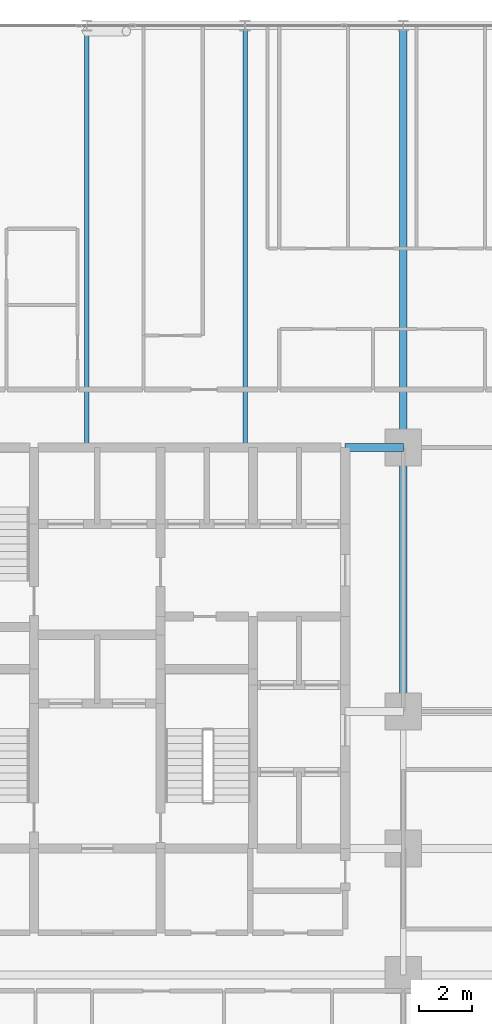
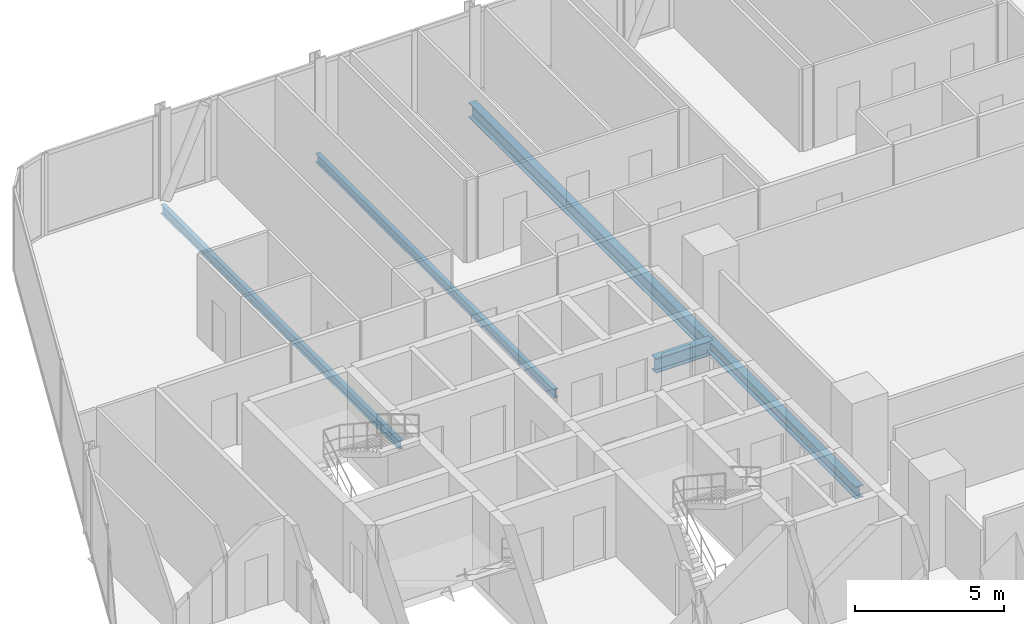
# One storey, part 12 of 33: 5 beams.
"""IFC4 building model written with IfcOpenShell, lengths in metres."""

from ifc_helpers import new_model, si_unit, direction, frame, origin, origin_2d, place, context, subcontext, project, spatial, i_section, extrude, material, material_profile, profile_set, type_object, element, save


model = new_model("IFC4")

# Units and contexts
model_context = context("Model", 3, precision=1e-05, world=origin(), true_north=direction((0.0, 1.0)))
body_context = subcontext(model_context, "Body", "Model", "MODEL_VIEW")
ifc_project = project(units=[si_unit("LENGTHUNIT", "METRE"), si_unit("AREAUNIT", "SQUARE_METRE"), si_unit("VOLUMEUNIT", "CUBIC_METRE"), si_unit("PLANEANGLEUNIT", "RADIAN"), si_unit("MASSUNIT", "GRAM", prefix="KILO")], contexts=[model_context])

# Site, building, storey
site_placement = place(None, origin())
site = spatial("IfcSite", under=ifc_project, at=site_placement, CompositionType="ELEMENT")
building_placement = place(site_placement, origin())
building = spatial("IfcBuilding", under=site, at=building_placement, Name="Keshet Zoharim Tower", CompositionType="ELEMENT")
storey_placement = place(building_placement, frame((0.0, 0.0, 42.5)))
storey = spatial("IfcBuildingStorey", under=building, at=storey_placement, Name="L09", CompositionType="ELEMENT", Elevation=42.5)

# Beams
ifc_material = material(Name="Steel S355", Category="steel")
ifc_material_profile_1 = material_profile(ifc_material, i_section(OverallWidth=0.300048828125, OverallDepth=0.60009765625, WebThickness=0.015380859375, FlangeThickness=0.030029296875, FilletRadius=0.027099609375, at=origin_2d()), Name="HEB600")
ifc_profile_set_1 = profile_set([ifc_material_profile_1], Name="Steel S355")
beam_type_1 = type_object("IfcBeamType", Name="BM-CLK-HB600", PredefinedType="BEAM", material=ifc_profile_set_1)
beam_1_placement = place(storey_placement, frame((30.800048828125, 37.89990234375, -0.614990234375), z_axis=(1.0, 0.0, 0.0), x_axis=(0.0, 1.0, 0.0)))
element("IfcBeam", 1, at=beam_1_placement, inside=storey, type_object=beam_type_1, Name="L09 Core Wall Link Girder 03", PredefinedType="BEAM", context=body_context, shape_type="SweptSolid", body=[
    extrude(i_section(OverallWidth=0.300048828125, OverallDepth=0.60009765625, WebThickness=0.015380859375, FlangeThickness=0.030029296875, FilletRadius=0.027099609375, at=origin_2d()), origin(), (0.0, 0.0, 1.0), 2.199951171875),
])
ifc_material_profile_2 = material_profile(ifc_material, i_section(OverallWidth=0.169921875, OverallDepth=0.360107421875, WebThickness=0.008056640625, FlangeThickness=0.0126953125, FilletRadius=0.01806640625, at=origin_2d()), Name="IPE360")
ifc_profile_set_2 = profile_set([ifc_material_profile_2], Name="Steel S355")
beam_type_2 = type_object("IfcBeamType", Name="BM-JST-IP360", PredefinedType="JOIST", material=ifc_profile_set_2)
for number, where, z_axis, x_axis, name in (
    (2, (21.0, 37.89990234375, -0.4951171875), (0.0, 1.0, 0.0), (-1.0, 0.0, 0.0), "L09 Secondary Floor Joist J-001"),
    (3, (27.0, 37.89990234375, -0.4951171875), (0.0, 1.0, 0.0), (-1.0, 0.0, 0.0), "L09 Secondary Floor Joist J-002"),
):
    element("IfcBeam", number, at=place(storey_placement, frame(where, z_axis=z_axis, x_axis=x_axis)), inside=storey, type_object=beam_type_2, Name=name, PredefinedType="JOIST", context=body_context, shape_type="SweptSolid", body=[
        extrude(i_section(OverallWidth=0.169921875, OverallDepth=0.360107421875, WebThickness=0.008056640625, FlangeThickness=0.0126953125, FilletRadius=0.01806640625, at=origin_2d()), origin(), (0.0, 0.0, 1.0), 16.0),
    ])
ifc_material_profile_3 = material_profile(ifc_material, i_section(OverallWidth=0.300048828125, OverallDepth=0.60009765625, WebThickness=0.015380859375, FlangeThickness=0.030029296875, FilletRadius=0.027099609375, at=origin_2d()), Name="HEB600")
ifc_profile_set_3 = profile_set([ifc_material_profile_3], Name="Steel S355")
beam_type_3 = type_object("IfcBeamType", Name="BM-LNG-HB600", PredefinedType="BEAM", material=ifc_profile_set_3)
beam_2_placement = place(storey_placement, frame((33.0, 37.89990234375, -0.614990234375), z_axis=(0.0, 1.0, 0.0), x_axis=(-1.0, 0.0, 0.0)))
element("IfcBeam", 4, at=beam_2_placement, inside=storey, type_object=beam_type_3, Name="L09 Primary Girder Y-011", PredefinedType="BEAM", context=body_context, shape_type="SweptSolid", body=[
    extrude(i_section(OverallWidth=0.300048828125, OverallDepth=0.60009765625, WebThickness=0.015380859375, FlangeThickness=0.030029296875, FilletRadius=0.027099609375, at=origin_2d()), origin(), (0.0, 0.0, 1.0), 16.0),
])
ifc_material_profile_4 = material_profile(ifc_material, i_section(OverallWidth=0.300048828125, OverallDepth=0.5, WebThickness=0.014404296875, FlangeThickness=0.028076171875, FilletRadius=0.027099609375, at=origin_2d()), Name="HEB500")
ifc_profile_set_4 = profile_set([ifc_material_profile_4], Name="Steel S355")
beam_type_4 = type_object("IfcBeamType", Name="BM-MED-HB500", PredefinedType="BEAM", material=ifc_profile_set_4)
beam_3_placement = place(storey_placement, frame((33.0, 27.89990234375, -0.56494140625), z_axis=(0.0, 1.0, 0.0), x_axis=(-1.0, 0.0, 0.0)))
element("IfcBeam", 5, at=beam_3_placement, inside=storey, type_object=beam_type_4, Name="L09 Primary Girder Y-010", PredefinedType="BEAM", context=body_context, shape_type="SweptSolid", body=[
    extrude(i_section(OverallWidth=0.300048828125, OverallDepth=0.5, WebThickness=0.014404296875, FlangeThickness=0.028076171875, FilletRadius=0.027099609375, at=origin_2d()), origin(), (0.0, 0.0, 1.0), 10.0),
])

save(model, "model.ifc")
